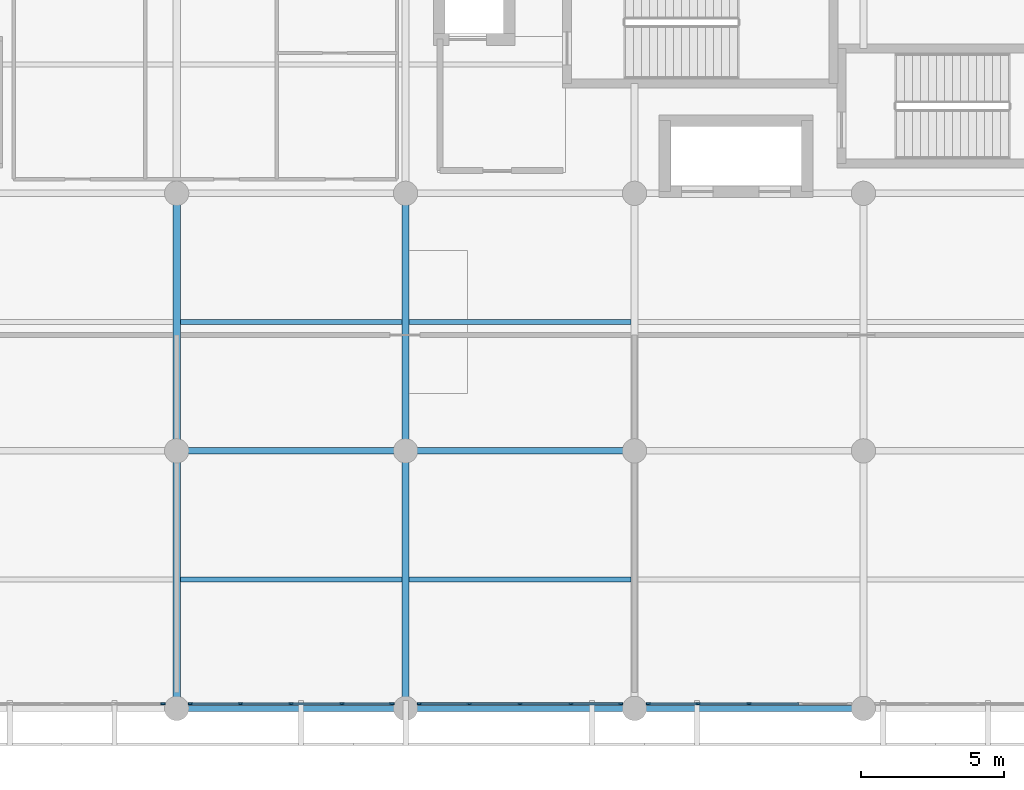
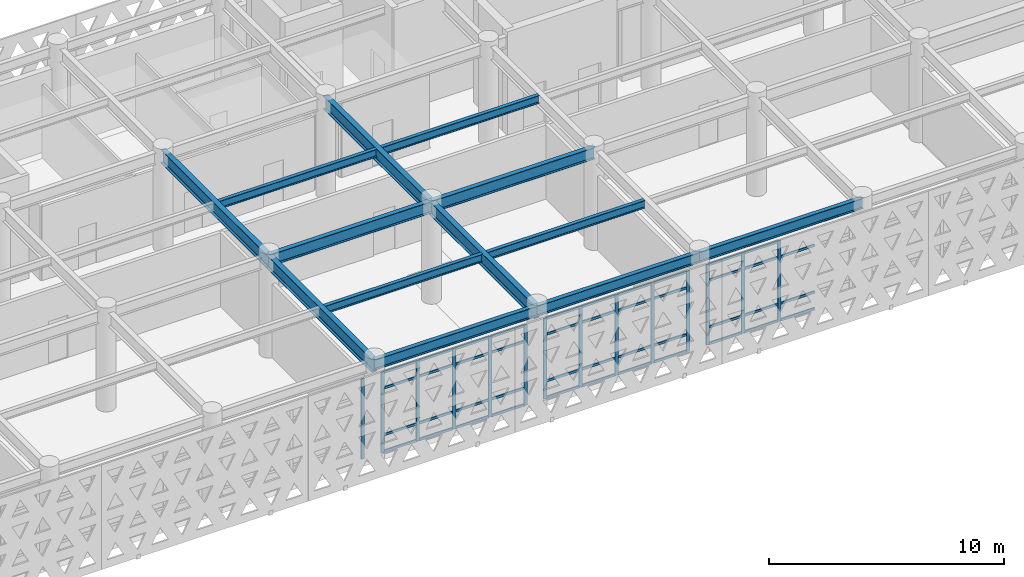
# One storey, part 20 of 84: 57 members, 13 beams, 4 elements without a shape of their own.
"""IFC4 building model written with IfcOpenShell, lengths in metres."""

from ifc_helpers import new_model, si_unit, direction, frame, origin, origin_2d, place, context, subcontext, project, spatial, rectangle, i_section, extrude, material, layer, layer_set, material_profile, profile_set, type_object, element, aggregate, save


model = new_model("IFC4")

# Units and contexts
model_context = context("Model", 3, precision=1e-05, world=origin(), true_north=direction((0.0, 1.0)))
body_context = subcontext(model_context, "Body", "Model", "MODEL_VIEW")
ifc_project = project(units=[si_unit("LENGTHUNIT", "METRE"), si_unit("AREAUNIT", "SQUARE_METRE"), si_unit("VOLUMEUNIT", "CUBIC_METRE"), si_unit("PLANEANGLEUNIT", "RADIAN"), si_unit("MASSUNIT", "GRAM", prefix="KILO")], contexts=[model_context])

# Site, building, storey
site_placement = place(None, origin())
site = spatial("IfcSite", under=ifc_project, at=site_placement, CompositionType="ELEMENT")
building_placement = place(site_placement, origin())
building = spatial("IfcBuilding", under=site, at=building_placement, Name="Tlacozan Convention Centre", CompositionType="ELEMENT")
storey_placement = place(building_placement, frame((0.0, 0.0, 6.0)))
storey = spatial("IfcBuildingStorey", under=building, at=storey_placement, Name="L01", CompositionType="ELEMENT", Elevation=6.0)

# Curtain wall, member
ifc_material_1 = material(Name="Dark Bronze Anodised Aluminium", Category="aluminium")
ifc_layer = layer(ifc_material_1, 0.159912109375)
ifc_layer_set = layer_set([ifc_layer], Name="Dark Bronze Anodised Aluminium")
curtain_wall_type = type_object("IfcCurtainWallType", Name="Unitised Congress L01 South CW02", PredefinedType="NOTDEFINED", material=ifc_layer_set)
curtain_wall_1_placement = place(storey_placement, origin())
curtain_wall_1 = element("IfcCurtainWall", 1, at=curtain_wall_1_placement, inside=storey, type_object=curtain_wall_type, Name="L01 CW-02 Run 62", PredefinedType="NOTDEFINED")
ifc_material_profile_1 = material_profile(ifc_material_1, rectangle(XDim=0.06494140625, YDim=0.159912109375, at=origin_2d()), Name="ALU 65x160")
ifc_profile_set_1 = profile_set([ifc_material_profile_1], Name="Dark Bronze Anodised Aluminium")
member_type_1 = type_object("IfcMemberType", Name="Curtain Wall Mullion 65x160", PredefinedType="MULLION", material=ifc_profile_set_1)
member_1_placement = place(storey_placement, frame((63.517578125, 0.159912109375, 0.0), z_axis=(0.0, 0.0, 1.0), x_axis=(0.0, 1.0, 0.0)))
member_1 = element("IfcMember", 2, at=member_1_placement, type_object=member_type_1, Name="CW-02 mullion 5", PredefinedType="MULLION", context=body_context, shape_type="SweptSolid", body=[
    extrude(rectangle(XDim=0.06494140625, YDim=0.159912109375, at=origin_2d()), origin(), (0.0, 0.0, 1.0), 4.179931640625),
])
aggregate(curtain_wall_1, [member_1])

# Curtain wall, members
curtain_wall_2_placement = place(storey_placement, origin())
curtain_wall_2 = element("IfcCurtainWall", 3, at=curtain_wall_2_placement, inside=storey, type_object=curtain_wall_type, Name="L01 CW-02 Run 63", PredefinedType="NOTDEFINED")
member_2_placement = place(storey_placement, frame((64.482421875, 0.159912109375, 0.0), z_axis=(0.0, 0.0, 1.0), x_axis=(0.0, 1.0, 0.0)))
member_2 = element("IfcMember", 4, at=member_2_placement, type_object=member_type_1, Name="CW-02 mullion 1", PredefinedType="MULLION", context=body_context, shape_type="SweptSolid", body=[
    extrude(rectangle(XDim=0.06494140625, YDim=0.159912109375, at=origin_2d()), origin(), (0.0, 0.0, 1.0), 4.179931640625),
])
member_3_placement = place(storey_placement, frame((66.22509765625, 0.159912109375, 0.0), z_axis=(0.0, 0.0, 1.0), x_axis=(0.0, 1.0, 0.0)))
member_3 = element("IfcMember", 5, at=member_3_placement, type_object=member_type_1, Name="CW-02 mullion 2", PredefinedType="MULLION", context=body_context, shape_type="SweptSolid", body=[
    extrude(rectangle(XDim=0.06494140625, YDim=0.159912109375, at=origin_2d()), origin(), (0.0, 0.0, 1.0), 4.179931640625),
])
member_4_placement = place(storey_placement, frame((68.0, 0.159912109375, 0.0), z_axis=(0.0, 0.0, 1.0), x_axis=(0.0, 1.0, 0.0)))
member_4 = element("IfcMember", 6, at=member_4_placement, type_object=member_type_1, Name="CW-02 mullion 3", PredefinedType="MULLION", context=body_context, shape_type="SweptSolid", body=[
    extrude(rectangle(XDim=0.06494140625, YDim=0.159912109375, at=origin_2d()), origin(), (0.0, 0.0, 1.0), 4.179931640625),
])
member_5_placement = place(storey_placement, frame((69.77490234375, 0.159912109375, 0.0), z_axis=(0.0, 0.0, 1.0), x_axis=(0.0, 1.0, 0.0)))
member_5 = element("IfcMember", 7, at=member_5_placement, type_object=member_type_1, Name="CW-02 mullion 4", PredefinedType="MULLION", context=body_context, shape_type="SweptSolid", body=[
    extrude(rectangle(XDim=0.06494140625, YDim=0.159912109375, at=origin_2d()), origin(), (0.0, 0.0, 1.0), 4.179931640625),
])
member_6_placement = place(storey_placement, frame((71.517578125, 0.159912109375, 0.0), z_axis=(0.0, 0.0, 1.0), x_axis=(0.0, 1.0, 0.0)))
member_6 = element("IfcMember", 8, at=member_6_placement, type_object=member_type_1, Name="CW-02 mullion 5", PredefinedType="MULLION", context=body_context, shape_type="SweptSolid", body=[
    extrude(rectangle(XDim=0.06494140625, YDim=0.159912109375, at=origin_2d()), origin(), (0.0, 0.0, 1.0), 4.179931640625),
])

curtain_wall_3_placement = place(storey_placement, origin())
curtain_wall_3 = element("IfcCurtainWall", 9, at=curtain_wall_3_placement, inside=storey, type_object=curtain_wall_type, Name="L01 CW-02 Run 64", PredefinedType="NOTDEFINED")
member_7_placement = place(storey_placement, frame((72.482421875, 0.159912109375, 0.0), z_axis=(0.0, 0.0, 1.0), x_axis=(0.0, 1.0, 0.0)))
member_7 = element("IfcMember", 10, at=member_7_placement, type_object=member_type_1, Name="CW-02 mullion 1", PredefinedType="MULLION", context=body_context, shape_type="SweptSolid", body=[
    extrude(rectangle(XDim=0.06494140625, YDim=0.159912109375, at=origin_2d()), origin(), (0.0, 0.0, 1.0), 4.179931640625),
])
member_8_placement = place(storey_placement, frame((74.22509765625, 0.159912109375, 0.0), z_axis=(0.0, 0.0, 1.0), x_axis=(0.0, 1.0, 0.0)))
member_8 = element("IfcMember", 11, at=member_8_placement, type_object=member_type_1, Name="CW-02 mullion 2", PredefinedType="MULLION", context=body_context, shape_type="SweptSolid", body=[
    extrude(rectangle(XDim=0.06494140625, YDim=0.159912109375, at=origin_2d()), origin(), (0.0, 0.0, 1.0), 4.179931640625),
])
member_9_placement = place(storey_placement, frame((76.0, 0.159912109375, 0.0), z_axis=(0.0, 0.0, 1.0), x_axis=(0.0, 1.0, 0.0)))
member_9 = element("IfcMember", 12, at=member_9_placement, type_object=member_type_1, Name="CW-02 mullion 3", PredefinedType="MULLION", context=body_context, shape_type="SweptSolid", body=[
    extrude(rectangle(XDim=0.06494140625, YDim=0.159912109375, at=origin_2d()), origin(), (0.0, 0.0, 1.0), 4.179931640625),
])
member_10_placement = place(storey_placement, frame((77.77490234375, 0.159912109375, 0.0), z_axis=(0.0, 0.0, 1.0), x_axis=(0.0, 1.0, 0.0)))
member_10 = element("IfcMember", 13, at=member_10_placement, type_object=member_type_1, Name="CW-02 mullion 4", PredefinedType="MULLION", context=body_context, shape_type="SweptSolid", body=[
    extrude(rectangle(XDim=0.06494140625, YDim=0.159912109375, at=origin_2d()), origin(), (0.0, 0.0, 1.0), 4.179931640625),
])
member_11_placement = place(storey_placement, frame((79.517578125, 0.159912109375, 0.0), z_axis=(0.0, 0.0, 1.0), x_axis=(0.0, 1.0, 0.0)))
member_11 = element("IfcMember", 14, at=member_11_placement, type_object=member_type_1, Name="CW-02 mullion 5", PredefinedType="MULLION", context=body_context, shape_type="SweptSolid", body=[
    extrude(rectangle(XDim=0.06494140625, YDim=0.159912109375, at=origin_2d()), origin(), (0.0, 0.0, 1.0), 4.179931640625),
])

curtain_wall_4_placement = place(storey_placement, origin())
curtain_wall_4 = element("IfcCurtainWall", 15, at=curtain_wall_4_placement, inside=storey, type_object=curtain_wall_type, Name="L01 CW-02 Run 65", PredefinedType="NOTDEFINED")
member_12_placement = place(storey_placement, frame((80.482421875, 0.159912109375, 0.0), z_axis=(0.0, 0.0, 1.0), x_axis=(0.0, 1.0, 0.0)))
member_12 = element("IfcMember", 16, at=member_12_placement, type_object=member_type_1, Name="CW-02 mullion 1", PredefinedType="MULLION", context=body_context, shape_type="SweptSolid", body=[
    extrude(rectangle(XDim=0.06494140625, YDim=0.159912109375, at=origin_2d()), origin(), (0.0, 0.0, 1.0), 4.179931640625),
])
member_13_placement = place(storey_placement, frame((82.22509765625, 0.159912109375, 0.0), z_axis=(0.0, 0.0, 1.0), x_axis=(0.0, 1.0, 0.0)))
member_13 = element("IfcMember", 17, at=member_13_placement, type_object=member_type_1, Name="CW-02 mullion 2", PredefinedType="MULLION", context=body_context, shape_type="SweptSolid", body=[
    extrude(rectangle(XDim=0.06494140625, YDim=0.159912109375, at=origin_2d()), origin(), (0.0, 0.0, 1.0), 4.179931640625),
])
member_14_placement = place(storey_placement, frame((84.0, 0.159912109375, 0.0), z_axis=(0.0, 0.0, 1.0), x_axis=(0.0, 1.0, 0.0)))
member_14 = element("IfcMember", 18, at=member_14_placement, type_object=member_type_1, Name="CW-02 mullion 3", PredefinedType="MULLION", context=body_context, shape_type="SweptSolid", body=[
    extrude(rectangle(XDim=0.06494140625, YDim=0.159912109375, at=origin_2d()), origin(), (0.0, 0.0, 1.0), 4.179931640625),
])

# Member
ifc_material_profile_2 = material_profile(ifc_material_1, rectangle(XDim=0.06494140625, YDim=0.125, at=origin_2d()), Name="ALU 65x125")
ifc_profile_set_2 = profile_set([ifc_material_profile_2], Name="Dark Bronze Anodised Aluminium")
member_type_2 = type_object("IfcMemberType", Name="Curtain Wall Transom 65x125", PredefinedType="USERDEFINED", material=ifc_profile_set_2)
member_15_placement = place(storey_placement, frame((64.514892578125, 0.159912109375, 0.032470703125), z_axis=(1.0, 0.0, 0.0), x_axis=(0.0, 1.0, 0.0)))
member_15 = element("IfcMember", 19, at=member_15_placement, type_object=member_type_2, Name="CW-02 transom 1.1", ObjectType="TRANSOM", PredefinedType="USERDEFINED", context=body_context, shape_type="SweptSolid", body=[
    extrude(rectangle(XDim=0.06494140625, YDim=0.125, at=origin_2d()), origin(), (0.0, 0.0, 1.0), 1.677490234375),
])

member_16_placement = place(storey_placement, frame((64.514892578125, 0.159912109375, 0.89990234375), z_axis=(1.0, 0.0, 0.0), x_axis=(0.0, 1.0, 0.0)))
member_16 = element("IfcMember", 20, at=member_16_placement, type_object=member_type_2, Name="CW-02 transom 1.2", ObjectType="TRANSOM", PredefinedType="USERDEFINED", context=body_context, shape_type="SweptSolid", body=[
    extrude(rectangle(XDim=0.06494140625, YDim=0.125, at=origin_2d()), origin(), (0.0, 0.0, 1.0), 1.677490234375),
])

member_17_placement = place(storey_placement, frame((64.514892578125, 0.159912109375, 3.330078125), z_axis=(1.0, 0.0, 0.0), x_axis=(0.0, 1.0, 0.0)))
member_17 = element("IfcMember", 21, at=member_17_placement, type_object=member_type_2, Name="CW-02 transom 1.3", ObjectType="TRANSOM", PredefinedType="USERDEFINED", context=body_context, shape_type="SweptSolid", body=[
    extrude(rectangle(XDim=0.06494140625, YDim=0.125, at=origin_2d()), origin(), (0.0, 0.0, 1.0), 1.677490234375),
])

member_18_placement = place(storey_placement, frame((64.514892578125, 0.159912109375, 4.1474609375), z_axis=(1.0, 0.0, 0.0), x_axis=(0.0, 1.0, 0.0)))
member_18 = element("IfcMember", 22, at=member_18_placement, type_object=member_type_2, Name="CW-02 transom 1.4", ObjectType="TRANSOM", PredefinedType="USERDEFINED", context=body_context, shape_type="SweptSolid", body=[
    extrude(rectangle(XDim=0.06494140625, YDim=0.125, at=origin_2d()), origin(), (0.0, 0.0, 1.0), 1.677490234375),
])

member_19_placement = place(storey_placement, frame((66.257568359375, 0.159912109375, 0.032470703125), z_axis=(1.0, 0.0, 0.0), x_axis=(0.0, 1.0, 0.0)))
member_19 = element("IfcMember", 23, at=member_19_placement, type_object=member_type_2, Name="CW-02 transom 2.1", ObjectType="TRANSOM", PredefinedType="USERDEFINED", context=body_context, shape_type="SweptSolid", body=[
    extrude(rectangle(XDim=0.06494140625, YDim=0.125, at=origin_2d()), origin(), (0.0, 0.0, 1.0), 1.7099609375),
])

member_20_placement = place(storey_placement, frame((66.257568359375, 0.159912109375, 0.89990234375), z_axis=(1.0, 0.0, 0.0), x_axis=(0.0, 1.0, 0.0)))
member_20 = element("IfcMember", 24, at=member_20_placement, type_object=member_type_2, Name="CW-02 transom 2.2", ObjectType="TRANSOM", PredefinedType="USERDEFINED", context=body_context, shape_type="SweptSolid", body=[
    extrude(rectangle(XDim=0.06494140625, YDim=0.125, at=origin_2d()), origin(), (0.0, 0.0, 1.0), 1.7099609375),
])

member_21_placement = place(storey_placement, frame((66.257568359375, 0.159912109375, 3.330078125), z_axis=(1.0, 0.0, 0.0), x_axis=(0.0, 1.0, 0.0)))
member_21 = element("IfcMember", 25, at=member_21_placement, type_object=member_type_2, Name="CW-02 transom 2.3", ObjectType="TRANSOM", PredefinedType="USERDEFINED", context=body_context, shape_type="SweptSolid", body=[
    extrude(rectangle(XDim=0.06494140625, YDim=0.125, at=origin_2d()), origin(), (0.0, 0.0, 1.0), 1.7099609375),
])

member_22_placement = place(storey_placement, frame((66.257568359375, 0.159912109375, 4.1474609375), z_axis=(1.0, 0.0, 0.0), x_axis=(0.0, 1.0, 0.0)))
member_22 = element("IfcMember", 26, at=member_22_placement, type_object=member_type_2, Name="CW-02 transom 2.4", ObjectType="TRANSOM", PredefinedType="USERDEFINED", context=body_context, shape_type="SweptSolid", body=[
    extrude(rectangle(XDim=0.06494140625, YDim=0.125, at=origin_2d()), origin(), (0.0, 0.0, 1.0), 1.7099609375),
])

member_23_placement = place(storey_placement, frame((68.032470703125, 0.159912109375, 0.032470703125), z_axis=(1.0, 0.0, 0.0), x_axis=(0.0, 1.0, 0.0)))
member_23 = element("IfcMember", 27, at=member_23_placement, type_object=member_type_2, Name="CW-02 transom 3.1", ObjectType="TRANSOM", PredefinedType="USERDEFINED", context=body_context, shape_type="SweptSolid", body=[
    extrude(rectangle(XDim=0.06494140625, YDim=0.125, at=origin_2d()), origin(), (0.0, 0.0, 1.0), 1.7099609375),
])

member_24_placement = place(storey_placement, frame((68.032470703125, 0.159912109375, 0.89990234375), z_axis=(1.0, 0.0, 0.0), x_axis=(0.0, 1.0, 0.0)))
member_24 = element("IfcMember", 28, at=member_24_placement, type_object=member_type_2, Name="CW-02 transom 3.2", ObjectType="TRANSOM", PredefinedType="USERDEFINED", context=body_context, shape_type="SweptSolid", body=[
    extrude(rectangle(XDim=0.06494140625, YDim=0.125, at=origin_2d()), origin(), (0.0, 0.0, 1.0), 1.7099609375),
])

member_25_placement = place(storey_placement, frame((68.032470703125, 0.159912109375, 3.330078125), z_axis=(1.0, 0.0, 0.0), x_axis=(0.0, 1.0, 0.0)))
member_25 = element("IfcMember", 29, at=member_25_placement, type_object=member_type_2, Name="CW-02 transom 3.3", ObjectType="TRANSOM", PredefinedType="USERDEFINED", context=body_context, shape_type="SweptSolid", body=[
    extrude(rectangle(XDim=0.06494140625, YDim=0.125, at=origin_2d()), origin(), (0.0, 0.0, 1.0), 1.7099609375),
])

member_26_placement = place(storey_placement, frame((68.032470703125, 0.159912109375, 4.1474609375), z_axis=(1.0, 0.0, 0.0), x_axis=(0.0, 1.0, 0.0)))
member_26 = element("IfcMember", 30, at=member_26_placement, type_object=member_type_2, Name="CW-02 transom 3.4", ObjectType="TRANSOM", PredefinedType="USERDEFINED", context=body_context, shape_type="SweptSolid", body=[
    extrude(rectangle(XDim=0.06494140625, YDim=0.125, at=origin_2d()), origin(), (0.0, 0.0, 1.0), 1.7099609375),
])

member_27_placement = place(storey_placement, frame((69.8076171875, 0.159912109375, 0.032470703125), z_axis=(1.0, 0.0, 0.0), x_axis=(0.0, 1.0, 0.0)))
member_27 = element("IfcMember", 31, at=member_27_placement, type_object=member_type_2, Name="CW-02 transom 4.1", ObjectType="TRANSOM", PredefinedType="USERDEFINED", context=body_context, shape_type="SweptSolid", body=[
    extrude(rectangle(XDim=0.06494140625, YDim=0.125, at=origin_2d()), origin(), (0.0, 0.0, 1.0), 1.677490234375),
])

member_28_placement = place(storey_placement, frame((69.8076171875, 0.159912109375, 0.89990234375), z_axis=(1.0, 0.0, 0.0), x_axis=(0.0, 1.0, 0.0)))
member_28 = element("IfcMember", 32, at=member_28_placement, type_object=member_type_2, Name="CW-02 transom 4.2", ObjectType="TRANSOM", PredefinedType="USERDEFINED", context=body_context, shape_type="SweptSolid", body=[
    extrude(rectangle(XDim=0.06494140625, YDim=0.125, at=origin_2d()), origin(), (0.0, 0.0, 1.0), 1.677490234375),
])

member_29_placement = place(storey_placement, frame((69.8076171875, 0.159912109375, 3.330078125), z_axis=(1.0, 0.0, 0.0), x_axis=(0.0, 1.0, 0.0)))
member_29 = element("IfcMember", 33, at=member_29_placement, type_object=member_type_2, Name="CW-02 transom 4.3", ObjectType="TRANSOM", PredefinedType="USERDEFINED", context=body_context, shape_type="SweptSolid", body=[
    extrude(rectangle(XDim=0.06494140625, YDim=0.125, at=origin_2d()), origin(), (0.0, 0.0, 1.0), 1.677490234375),
])

member_30_placement = place(storey_placement, frame((69.8076171875, 0.159912109375, 4.1474609375), z_axis=(1.0, 0.0, 0.0), x_axis=(0.0, 1.0, 0.0)))
member_30 = element("IfcMember", 34, at=member_30_placement, type_object=member_type_2, Name="CW-02 transom 4.4", ObjectType="TRANSOM", PredefinedType="USERDEFINED", context=body_context, shape_type="SweptSolid", body=[
    extrude(rectangle(XDim=0.06494140625, YDim=0.125, at=origin_2d()), origin(), (0.0, 0.0, 1.0), 1.677490234375),
])

aggregate(curtain_wall_2, [member_2, member_3, member_4, member_5, member_6, member_15, member_16, member_17, member_18, member_19, member_20, member_21, member_22, member_23, member_24, member_25, member_26, member_27, member_28, member_29, member_30])

member_31_placement = place(storey_placement, frame((72.514892578125, 0.159912109375, 0.032470703125), z_axis=(1.0, 0.0, 0.0), x_axis=(0.0, 1.0, 0.0)))
member_31 = element("IfcMember", 35, at=member_31_placement, type_object=member_type_2, Name="CW-02 transom 1.1", ObjectType="TRANSOM", PredefinedType="USERDEFINED", context=body_context, shape_type="SweptSolid", body=[
    extrude(rectangle(XDim=0.06494140625, YDim=0.125, at=origin_2d()), origin(), (0.0, 0.0, 1.0), 1.677490234375),
])

member_32_placement = place(storey_placement, frame((72.514892578125, 0.159912109375, 0.89990234375), z_axis=(1.0, 0.0, 0.0), x_axis=(0.0, 1.0, 0.0)))
member_32 = element("IfcMember", 36, at=member_32_placement, type_object=member_type_2, Name="CW-02 transom 1.2", ObjectType="TRANSOM", PredefinedType="USERDEFINED", context=body_context, shape_type="SweptSolid", body=[
    extrude(rectangle(XDim=0.06494140625, YDim=0.125, at=origin_2d()), origin(), (0.0, 0.0, 1.0), 1.677490234375),
])

member_33_placement = place(storey_placement, frame((72.514892578125, 0.159912109375, 3.330078125), z_axis=(1.0, 0.0, 0.0), x_axis=(0.0, 1.0, 0.0)))
member_33 = element("IfcMember", 37, at=member_33_placement, type_object=member_type_2, Name="CW-02 transom 1.3", ObjectType="TRANSOM", PredefinedType="USERDEFINED", context=body_context, shape_type="SweptSolid", body=[
    extrude(rectangle(XDim=0.06494140625, YDim=0.125, at=origin_2d()), origin(), (0.0, 0.0, 1.0), 1.677490234375),
])

member_34_placement = place(storey_placement, frame((72.514892578125, 0.159912109375, 4.1474609375), z_axis=(1.0, 0.0, 0.0), x_axis=(0.0, 1.0, 0.0)))
member_34 = element("IfcMember", 38, at=member_34_placement, type_object=member_type_2, Name="CW-02 transom 1.4", ObjectType="TRANSOM", PredefinedType="USERDEFINED", context=body_context, shape_type="SweptSolid", body=[
    extrude(rectangle(XDim=0.06494140625, YDim=0.125, at=origin_2d()), origin(), (0.0, 0.0, 1.0), 1.677490234375),
])

member_35_placement = place(storey_placement, frame((74.257568359375, 0.159912109375, 0.032470703125), z_axis=(1.0, 0.0, 0.0), x_axis=(0.0, 1.0, 0.0)))
member_35 = element("IfcMember", 39, at=member_35_placement, type_object=member_type_2, Name="CW-02 transom 2.1", ObjectType="TRANSOM", PredefinedType="USERDEFINED", context=body_context, shape_type="SweptSolid", body=[
    extrude(rectangle(XDim=0.06494140625, YDim=0.125, at=origin_2d()), origin(), (0.0, 0.0, 1.0), 1.7099609375),
])

member_36_placement = place(storey_placement, frame((74.257568359375, 0.159912109375, 0.89990234375), z_axis=(1.0, 0.0, 0.0), x_axis=(0.0, 1.0, 0.0)))
member_36 = element("IfcMember", 40, at=member_36_placement, type_object=member_type_2, Name="CW-02 transom 2.2", ObjectType="TRANSOM", PredefinedType="USERDEFINED", context=body_context, shape_type="SweptSolid", body=[
    extrude(rectangle(XDim=0.06494140625, YDim=0.125, at=origin_2d()), origin(), (0.0, 0.0, 1.0), 1.7099609375),
])

member_37_placement = place(storey_placement, frame((74.257568359375, 0.159912109375, 3.330078125), z_axis=(1.0, 0.0, 0.0), x_axis=(0.0, 1.0, 0.0)))
member_37 = element("IfcMember", 41, at=member_37_placement, type_object=member_type_2, Name="CW-02 transom 2.3", ObjectType="TRANSOM", PredefinedType="USERDEFINED", context=body_context, shape_type="SweptSolid", body=[
    extrude(rectangle(XDim=0.06494140625, YDim=0.125, at=origin_2d()), origin(), (0.0, 0.0, 1.0), 1.7099609375),
])

member_38_placement = place(storey_placement, frame((74.257568359375, 0.159912109375, 4.1474609375), z_axis=(1.0, 0.0, 0.0), x_axis=(0.0, 1.0, 0.0)))
member_38 = element("IfcMember", 42, at=member_38_placement, type_object=member_type_2, Name="CW-02 transom 2.4", ObjectType="TRANSOM", PredefinedType="USERDEFINED", context=body_context, shape_type="SweptSolid", body=[
    extrude(rectangle(XDim=0.06494140625, YDim=0.125, at=origin_2d()), origin(), (0.0, 0.0, 1.0), 1.7099609375),
])

member_39_placement = place(storey_placement, frame((76.032470703125, 0.159912109375, 0.032470703125), z_axis=(1.0, 0.0, 0.0), x_axis=(0.0, 1.0, 0.0)))
member_39 = element("IfcMember", 43, at=member_39_placement, type_object=member_type_2, Name="CW-02 transom 3.1", ObjectType="TRANSOM", PredefinedType="USERDEFINED", context=body_context, shape_type="SweptSolid", body=[
    extrude(rectangle(XDim=0.06494140625, YDim=0.125, at=origin_2d()), origin(), (0.0, 0.0, 1.0), 1.7099609375),
])

member_40_placement = place(storey_placement, frame((76.032470703125, 0.159912109375, 0.89990234375), z_axis=(1.0, 0.0, 0.0), x_axis=(0.0, 1.0, 0.0)))
member_40 = element("IfcMember", 44, at=member_40_placement, type_object=member_type_2, Name="CW-02 transom 3.2", ObjectType="TRANSOM", PredefinedType="USERDEFINED", context=body_context, shape_type="SweptSolid", body=[
    extrude(rectangle(XDim=0.06494140625, YDim=0.125, at=origin_2d()), origin(), (0.0, 0.0, 1.0), 1.7099609375),
])

member_41_placement = place(storey_placement, frame((76.032470703125, 0.159912109375, 3.330078125), z_axis=(1.0, 0.0, 0.0), x_axis=(0.0, 1.0, 0.0)))
member_41 = element("IfcMember", 45, at=member_41_placement, type_object=member_type_2, Name="CW-02 transom 3.3", ObjectType="TRANSOM", PredefinedType="USERDEFINED", context=body_context, shape_type="SweptSolid", body=[
    extrude(rectangle(XDim=0.06494140625, YDim=0.125, at=origin_2d()), origin(), (0.0, 0.0, 1.0), 1.7099609375),
])

member_42_placement = place(storey_placement, frame((76.032470703125, 0.159912109375, 4.1474609375), z_axis=(1.0, 0.0, 0.0), x_axis=(0.0, 1.0, 0.0)))
member_42 = element("IfcMember", 46, at=member_42_placement, type_object=member_type_2, Name="CW-02 transom 3.4", ObjectType="TRANSOM", PredefinedType="USERDEFINED", context=body_context, shape_type="SweptSolid", body=[
    extrude(rectangle(XDim=0.06494140625, YDim=0.125, at=origin_2d()), origin(), (0.0, 0.0, 1.0), 1.7099609375),
])

member_43_placement = place(storey_placement, frame((77.8076171875, 0.159912109375, 0.032470703125), z_axis=(1.0, 0.0, 0.0), x_axis=(0.0, 1.0, 0.0)))
member_43 = element("IfcMember", 47, at=member_43_placement, type_object=member_type_2, Name="CW-02 transom 4.1", ObjectType="TRANSOM", PredefinedType="USERDEFINED", context=body_context, shape_type="SweptSolid", body=[
    extrude(rectangle(XDim=0.06494140625, YDim=0.125, at=origin_2d()), origin(), (0.0, 0.0, 1.0), 1.677490234375),
])

member_44_placement = place(storey_placement, frame((77.8076171875, 0.159912109375, 0.89990234375), z_axis=(1.0, 0.0, 0.0), x_axis=(0.0, 1.0, 0.0)))
member_44 = element("IfcMember", 48, at=member_44_placement, type_object=member_type_2, Name="CW-02 transom 4.2", ObjectType="TRANSOM", PredefinedType="USERDEFINED", context=body_context, shape_type="SweptSolid", body=[
    extrude(rectangle(XDim=0.06494140625, YDim=0.125, at=origin_2d()), origin(), (0.0, 0.0, 1.0), 1.677490234375),
])

member_45_placement = place(storey_placement, frame((77.8076171875, 0.159912109375, 3.330078125), z_axis=(1.0, 0.0, 0.0), x_axis=(0.0, 1.0, 0.0)))
member_45 = element("IfcMember", 49, at=member_45_placement, type_object=member_type_2, Name="CW-02 transom 4.3", ObjectType="TRANSOM", PredefinedType="USERDEFINED", context=body_context, shape_type="SweptSolid", body=[
    extrude(rectangle(XDim=0.06494140625, YDim=0.125, at=origin_2d()), origin(), (0.0, 0.0, 1.0), 1.677490234375),
])

member_46_placement = place(storey_placement, frame((77.8076171875, 0.159912109375, 4.1474609375), z_axis=(1.0, 0.0, 0.0), x_axis=(0.0, 1.0, 0.0)))
member_46 = element("IfcMember", 50, at=member_46_placement, type_object=member_type_2, Name="CW-02 transom 4.4", ObjectType="TRANSOM", PredefinedType="USERDEFINED", context=body_context, shape_type="SweptSolid", body=[
    extrude(rectangle(XDim=0.06494140625, YDim=0.125, at=origin_2d()), origin(), (0.0, 0.0, 1.0), 1.677490234375),
])

aggregate(curtain_wall_3, [member_7, member_8, member_9, member_10, member_11, member_31, member_32, member_33, member_34, member_35, member_36, member_37, member_38, member_39, member_40, member_41, member_42, member_43, member_44, member_45, member_46])

member_47_placement = place(storey_placement, frame((80.514892578125, 0.159912109375, 0.032470703125), z_axis=(1.0, 0.0, 0.0), x_axis=(0.0, 1.0, 0.0)))
member_47 = element("IfcMember", 51, at=member_47_placement, type_object=member_type_2, Name="CW-02 transom 1.1", ObjectType="TRANSOM", PredefinedType="USERDEFINED", context=body_context, shape_type="SweptSolid", body=[
    extrude(rectangle(XDim=0.06494140625, YDim=0.125, at=origin_2d()), origin(), (0.0, 0.0, 1.0), 1.677490234375),
])

member_48_placement = place(storey_placement, frame((80.514892578125, 0.159912109375, 0.89990234375), z_axis=(1.0, 0.0, 0.0), x_axis=(0.0, 1.0, 0.0)))
member_48 = element("IfcMember", 52, at=member_48_placement, type_object=member_type_2, Name="CW-02 transom 1.2", ObjectType="TRANSOM", PredefinedType="USERDEFINED", context=body_context, shape_type="SweptSolid", body=[
    extrude(rectangle(XDim=0.06494140625, YDim=0.125, at=origin_2d()), origin(), (0.0, 0.0, 1.0), 1.677490234375),
])

member_49_placement = place(storey_placement, frame((80.514892578125, 0.159912109375, 3.330078125), z_axis=(1.0, 0.0, 0.0), x_axis=(0.0, 1.0, 0.0)))
member_49 = element("IfcMember", 53, at=member_49_placement, type_object=member_type_2, Name="CW-02 transom 1.3", ObjectType="TRANSOM", PredefinedType="USERDEFINED", context=body_context, shape_type="SweptSolid", body=[
    extrude(rectangle(XDim=0.06494140625, YDim=0.125, at=origin_2d()), origin(), (0.0, 0.0, 1.0), 1.677490234375),
])

member_50_placement = place(storey_placement, frame((80.514892578125, 0.159912109375, 4.1474609375), z_axis=(1.0, 0.0, 0.0), x_axis=(0.0, 1.0, 0.0)))
member_50 = element("IfcMember", 54, at=member_50_placement, type_object=member_type_2, Name="CW-02 transom 1.4", ObjectType="TRANSOM", PredefinedType="USERDEFINED", context=body_context, shape_type="SweptSolid", body=[
    extrude(rectangle(XDim=0.06494140625, YDim=0.125, at=origin_2d()), origin(), (0.0, 0.0, 1.0), 1.677490234375),
])

member_51_placement = place(storey_placement, frame((82.257568359375, 0.159912109375, 0.032470703125), z_axis=(1.0, 0.0, 0.0), x_axis=(0.0, 1.0, 0.0)))
member_51 = element("IfcMember", 55, at=member_51_placement, type_object=member_type_2, Name="CW-02 transom 2.1", ObjectType="TRANSOM", PredefinedType="USERDEFINED", context=body_context, shape_type="SweptSolid", body=[
    extrude(rectangle(XDim=0.06494140625, YDim=0.125, at=origin_2d()), origin(), (0.0, 0.0, 1.0), 1.7099609375),
])

member_52_placement = place(storey_placement, frame((82.257568359375, 0.159912109375, 0.89990234375), z_axis=(1.0, 0.0, 0.0), x_axis=(0.0, 1.0, 0.0)))
member_52 = element("IfcMember", 56, at=member_52_placement, type_object=member_type_2, Name="CW-02 transom 2.2", ObjectType="TRANSOM", PredefinedType="USERDEFINED", context=body_context, shape_type="SweptSolid", body=[
    extrude(rectangle(XDim=0.06494140625, YDim=0.125, at=origin_2d()), origin(), (0.0, 0.0, 1.0), 1.7099609375),
])

member_53_placement = place(storey_placement, frame((82.257568359375, 0.159912109375, 3.330078125), z_axis=(1.0, 0.0, 0.0), x_axis=(0.0, 1.0, 0.0)))
member_53 = element("IfcMember", 57, at=member_53_placement, type_object=member_type_2, Name="CW-02 transom 2.3", ObjectType="TRANSOM", PredefinedType="USERDEFINED", context=body_context, shape_type="SweptSolid", body=[
    extrude(rectangle(XDim=0.06494140625, YDim=0.125, at=origin_2d()), origin(), (0.0, 0.0, 1.0), 1.7099609375),
])

member_54_placement = place(storey_placement, frame((82.257568359375, 0.159912109375, 4.1474609375), z_axis=(1.0, 0.0, 0.0), x_axis=(0.0, 1.0, 0.0)))
member_54 = element("IfcMember", 58, at=member_54_placement, type_object=member_type_2, Name="CW-02 transom 2.4", ObjectType="TRANSOM", PredefinedType="USERDEFINED", context=body_context, shape_type="SweptSolid", body=[
    extrude(rectangle(XDim=0.06494140625, YDim=0.125, at=origin_2d()), origin(), (0.0, 0.0, 1.0), 1.7099609375),
])

member_55_placement = place(storey_placement, frame((84.032470703125, 0.159912109375, 0.032470703125), z_axis=(1.0, 0.0, 0.0), x_axis=(0.0, 1.0, 0.0)))
member_55 = element("IfcMember", 59, at=member_55_placement, type_object=member_type_2, Name="CW-02 transom 3.1", ObjectType="TRANSOM", PredefinedType="USERDEFINED", context=body_context, shape_type="SweptSolid", body=[
    extrude(rectangle(XDim=0.06494140625, YDim=0.125, at=origin_2d()), origin(), (0.0, 0.0, 1.0), 1.7099609375),
])

member_56_placement = place(storey_placement, frame((84.032470703125, 0.159912109375, 0.89990234375), z_axis=(1.0, 0.0, 0.0), x_axis=(0.0, 1.0, 0.0)))
member_56 = element("IfcMember", 60, at=member_56_placement, type_object=member_type_2, Name="CW-02 transom 3.2", ObjectType="TRANSOM", PredefinedType="USERDEFINED", context=body_context, shape_type="SweptSolid", body=[
    extrude(rectangle(XDim=0.06494140625, YDim=0.125, at=origin_2d()), origin(), (0.0, 0.0, 1.0), 1.7099609375),
])

member_57_placement = place(storey_placement, frame((84.032470703125, 0.159912109375, 3.330078125), z_axis=(1.0, 0.0, 0.0), x_axis=(0.0, 1.0, 0.0)))
member_57 = element("IfcMember", 61, at=member_57_placement, type_object=member_type_2, Name="CW-02 transom 3.3", ObjectType="TRANSOM", PredefinedType="USERDEFINED", context=body_context, shape_type="SweptSolid", body=[
    extrude(rectangle(XDim=0.06494140625, YDim=0.125, at=origin_2d()), origin(), (0.0, 0.0, 1.0), 1.7099609375),
])

aggregate(curtain_wall_4, [member_12, member_13, member_14, member_47, member_48, member_49, member_50, member_51, member_52, member_53, member_54, member_55, member_56, member_57])

# Beams
ifc_material_2 = material(Name="Steel ASTM A992 Grade 50", Category="steel")
ifc_material_profile_3 = material_profile(ifc_material_2, i_section(OverallWidth=0.22900390625, OverallDepth=0.612060546875, WebThickness=0.011962890625, FlangeThickness=0.01953125, FilletRadius=0.012939453125, at=origin_2d()), Name="IR 610x125.0")
ifc_profile_set_3 = profile_set([ifc_material_profile_3], Name="Steel ASTM A992 Grade 50")
beam_type_1 = type_object("IfcBeamType", Name="Floor Beam IR 610x125", PredefinedType="BEAM", material=ifc_profile_set_3)
for number, where, z_axis, x_axis, name in (
    (62, (64.0, 9.0, 4.833984375), (1.0, 0.0, 0.0), (0.0, 1.0, 0.0), "L01 Floor Beam IR 610x125 348"),
    (63, (72.0, 9.0, 4.833984375), (1.0, 0.0, 0.0), (0.0, 1.0, 0.0), "L01 Floor Beam IR 610x125 352"),
):
    element("IfcBeam", number, at=place(storey_placement, frame(where, z_axis=z_axis, x_axis=x_axis)), inside=storey, type_object=beam_type_1, Name=name, PredefinedType="BEAM", context=body_context, shape_type="SweptSolid", body=[
        extrude(i_section(OverallWidth=0.22900390625, OverallDepth=0.612060546875, WebThickness=0.011962890625, FlangeThickness=0.01953125, FilletRadius=0.012939453125, at=origin_2d()), origin(), (0.0, 0.0, 1.0), 8.0),
    ])
ifc_material_profile_4 = material_profile(ifc_material_2, i_section(OverallWidth=0.256103515625, OverallDepth=0.693115234375, WebThickness=0.014404296875, FlangeThickness=0.023681640625, FilletRadius=0.014892578125, at=origin_2d()), Name="IR 686x170.0")
ifc_profile_set_4 = profile_set([ifc_material_profile_4], Name="Steel ASTM A992 Grade 50")
beam_type_2 = type_object("IfcBeamType", Name="Girder Steel IR 686x170", PredefinedType="BEAM", material=ifc_profile_set_4)
for number, where, z_axis, x_axis, name in (
    (64, (64.0, 0.0, 4.79345703125), (0.0, 1.0, 0.0), (-1.0, 0.0, 0.0), "L01 Girder Steel IR 686x170 284"),
    (65, (64.0, 9.0, 4.79345703125), (0.0, 1.0, 0.0), (-1.0, 0.0, 0.0), "L01 Girder Steel IR 686x170 285"),
    (66, (72.0, 0.0, 4.79345703125), (0.0, 1.0, 0.0), (-1.0, 0.0, 0.0), "L01 Girder Steel IR 686x170 287"),
    (67, (72.0, 9.0, 4.79345703125), (0.0, 1.0, 0.0), (-1.0, 0.0, 0.0), "L01 Girder Steel IR 686x170 288"),
):
    element("IfcBeam", number, at=place(storey_placement, frame(where, z_axis=z_axis, x_axis=x_axis)), inside=storey, type_object=beam_type_2, Name=name, PredefinedType="BEAM", context=body_context, shape_type="SweptSolid", body=[
        extrude(i_section(OverallWidth=0.256103515625, OverallDepth=0.693115234375, WebThickness=0.014404296875, FlangeThickness=0.023681640625, FilletRadius=0.014892578125, at=origin_2d()), origin(), (0.0, 0.0, 1.0), 9.0),
    ])
ifc_material_profile_5 = material_profile(ifc_material_2, i_section(OverallWidth=0.2109375, OverallDepth=0.5390625, WebThickness=0.01171875, FlangeThickness=0.018798828125, FilletRadius=0.012939453125, at=origin_2d()), Name="IR 533x109.0")
ifc_profile_set_5 = profile_set([ifc_material_profile_5], Name="Steel ASTM A992 Grade 50")
beam_type_3 = type_object("IfcBeamType", Name="Perimeter Spandrel IR 533x109", PredefinedType="SPANDREL", material=ifc_profile_set_5)
for number, where, z_axis, x_axis, name in (
    (68, (64.0, 0.0, 4.87060546875), (1.0, 0.0, 0.0), (0.0, 1.0, 0.0), "L01 Perimeter Spandrel IR 533x109 347"),
    (69, (72.0, 0.0, 4.87060546875), (1.0, 0.0, 0.0), (0.0, 1.0, 0.0), "L01 Perimeter Spandrel IR 533x109 351"),
    (70, (80.0, 0.0, 4.87060546875), (1.0, 0.0, 0.0), (0.0, 1.0, 0.0), "L01 Perimeter Spandrel IR 533x109 355"),
):
    element("IfcBeam", number, at=place(storey_placement, frame(where, z_axis=z_axis, x_axis=x_axis)), inside=storey, type_object=beam_type_3, Name=name, PredefinedType="SPANDREL", context=body_context, shape_type="SweptSolid", body=[
        extrude(i_section(OverallWidth=0.2109375, OverallDepth=0.5390625, WebThickness=0.01171875, FlangeThickness=0.018798828125, FilletRadius=0.012939453125, at=origin_2d()), origin(), (0.0, 0.0, 1.0), 8.0),
    ])
ifc_material_profile_6 = material_profile(ifc_material_2, i_section(OverallWidth=0.179931640625, OverallDepth=0.4130859375, WebThickness=0.009765625, FlangeThickness=0.01611328125, FilletRadius=0.010986328125, at=origin_2d()), Name="IR 406x74.4")
ifc_profile_set_6 = profile_set([ifc_material_profile_6], Name="Steel ASTM A992 Grade 50")
beam_type_4 = type_object("IfcBeamType", Name="Secondary Joist IR 406x74.4", PredefinedType="JOIST", material=ifc_profile_set_6)
for number, where, z_axis, x_axis, name in (
    (71, (64.1259765625, 4.5, 4.93359375), (1.0, 0.0, 0.0), (0.0, 1.0, 0.0), "L01 Secondary Joist IR 406x74.4 382"),
    (72, (64.1259765625, 13.5, 4.93359375), (1.0, 0.0, 0.0), (0.0, 1.0, 0.0), "L01 Secondary Joist IR 406x74.4 383"),
    (73, (72.1259765625, 4.5, 4.93359375), (1.0, 0.0, 0.0), (0.0, 1.0, 0.0), "L01 Secondary Joist IR 406x74.4 385"),
    (74, (72.1259765625, 13.5, 4.93359375), (1.0, 0.0, 0.0), (0.0, 1.0, 0.0), "L01 Secondary Joist IR 406x74.4 386"),
):
    element("IfcBeam", number, at=place(storey_placement, frame(where, z_axis=z_axis, x_axis=x_axis)), inside=storey, type_object=beam_type_4, Name=name, PredefinedType="JOIST", context=body_context, shape_type="SweptSolid", body=[
        extrude(i_section(OverallWidth=0.179931640625, OverallDepth=0.4130859375, WebThickness=0.009765625, FlangeThickness=0.01611328125, FilletRadius=0.010986328125, at=origin_2d()), origin(), (0.0, 0.0, 1.0), 7.748046875),
    ])

save(model, "model.ifc")
